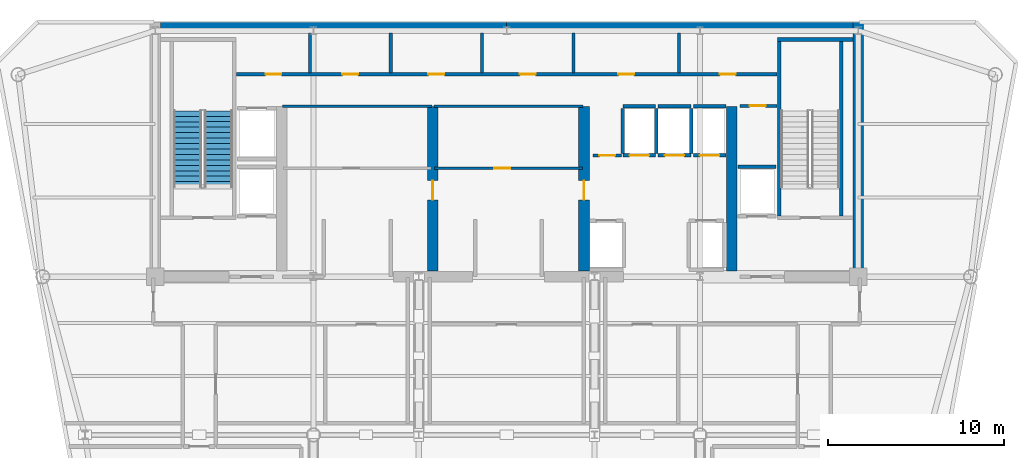
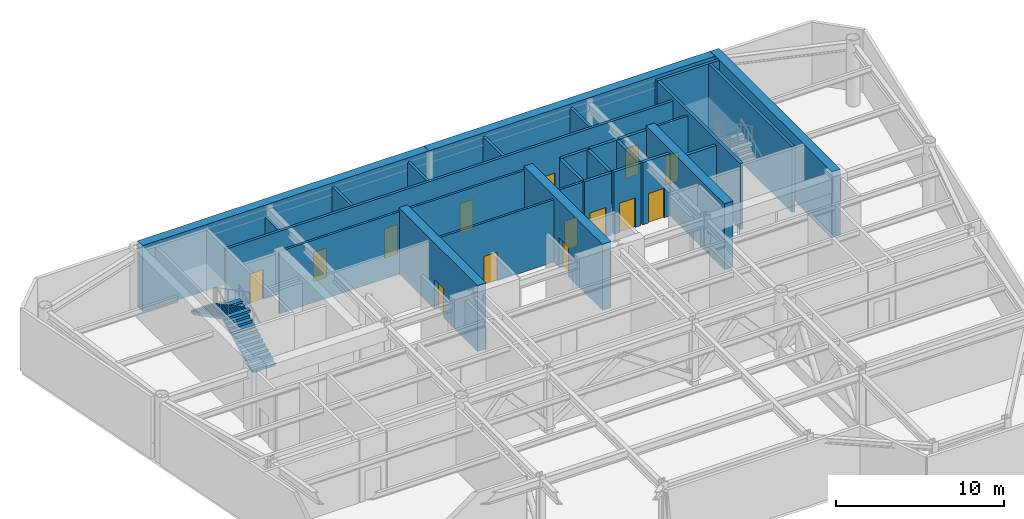
# One storey, part 5 of 9: 30 walls, 14 doors, 2 stair flights, 14 openings, 1 element without a shape of its own.
"""IFC4 building model written with IfcOpenShell, lengths in metres."""

from ifc_helpers import new_model, si_unit, direction, frame, frame_2d, origin, place, context, subcontext, project, spatial, polyline, rectangle, outline, extrude, source, transform, mapped, material, layer, layer_set, type_object, element, fill, aggregate, save


model = new_model("IFC4")

# Units and contexts
model_context = context("Model", 3, precision=1e-05, world=origin(), true_north=direction((0.0, 1.0)))
body_context = subcontext(model_context, "Body", "Model", "MODEL_VIEW")
ifc_project = project(units=[si_unit("LENGTHUNIT", "METRE"), si_unit("AREAUNIT", "SQUARE_METRE"), si_unit("VOLUMEUNIT", "CUBIC_METRE"), si_unit("PLANEANGLEUNIT", "RADIAN"), si_unit("MASSUNIT", "GRAM", prefix="KILO")], contexts=[model_context])

# Site, building, storey
site_placement = place(None, origin())
site = spatial("IfcSite", under=ifc_project, at=site_placement, CompositionType="ELEMENT")
building_placement = place(site_placement, origin())
building = spatial("IfcBuilding", under=site, at=building_placement, Name="Vaeldorn Concourse Tower", CompositionType="ELEMENT")
storey_placement = place(building_placement, frame((0.0, 0.0, 218.39990234375)))
storey = spatial("IfcBuildingStorey", under=building, at=storey_placement, Name="L56", CompositionType="ELEMENT", Elevation=218.39990234375)

# Walls
ifc_material_1 = material(Name="Concrete C50/60", Category="concrete")
ifc_layer_1 = layer(ifc_material_1, 0.60009765625)
ifc_layer_set_1 = layer_set([ifc_layer_1], Name="Concrete C50/60")
wall_type_1 = type_object("IfcWallType", Name="WL-CORE-600", PredefinedType="SHEAR", material=ifc_layer_set_1)
for number, where, z_axis, x_axis, name in (
    (1, (14.303955078125, 50.699951171875, 0.0), (0.0, 0.0, 1.0), (1.0, 0.0, 0.0), "Rear Core Shear Wall L56 N1"),
    (2, (34.001953125, 50.699951171875, 0.0), (0.0, 0.0, 1.0), (1.0, 0.0, 0.0), "Rear Core Shear Wall L56 N2"),
):
    element("IfcWall", number, at=place(storey_placement, frame(where, z_axis=z_axis, x_axis=x_axis)), inside=storey, type_object=wall_type_1, Name=name, PredefinedType="SHEAR", context=body_context, shape_type="SweptSolid", body=[
        extrude(rectangle(XDim=19.694091796875, YDim=0.60009765625, at=frame_2d((9.84716796875, 0.0))), origin(), (0.0, 0.0, 1.0), 4.800048828125),
    ])
wall_1_placement = place(storey_placement, frame((54.0, 36.5, 0.0), z_axis=(0.0, 0.0, 1.0), x_axis=(0.0, 1.0, 0.0)))
element("IfcWall", 3, at=wall_1_placement, inside=storey, type_object=wall_type_1, Name="Rear Core Shear Wall L56 E1", PredefinedType="SHEAR", context=body_context, shape_type="SweptSolid", body=[
    extrude(rectangle(XDim=14.5, YDim=0.60009765625, at=frame_2d((7.25, 0.0))), origin(), (0.0, 0.0, 1.0), 4.800048828125),
])

# Wall, opening, door
wall_2_placement = place(storey_placement, frame((29.800048828125, 36.820068359375, 0.0), z_axis=(0.0, 0.0, 1.0), x_axis=(0.0, 1.0, 0.0)))
wall_2 = element("IfcWall", 4, at=wall_2_placement, inside=storey, type_object=wall_type_1, Name="Rear Core Shear Wall L56 M2", PredefinedType="SHEAR", context=body_context, shape_type="SweptSolid", body=[
    extrude(rectangle(XDim=9.3798828125, YDim=0.60009765625, at=frame_2d((4.68994140625, 0.0))), origin(), (0.0, 0.0, 1.0), 4.800048828125),
])
opening_1_placement = place(wall_2_placement, frame((4.050048828125, 0.0, 0.0)))
opening_1 = element("IfcOpeningElement", 5, at=opening_1_placement, cuts=wall_2, Name="Opening D-01", PredefinedType="OPENING", context=body_context, shape_type="SweptSolid", body=[
    extrude(rectangle(XDim=1.10009765625, YDim=2.14990234375, at=frame_2d((0.550048828125, 1.074951171875))), frame((0.0, 0.31005859375, 0.0), z_axis=(0.0, -1.0, 0.0), x_axis=(1.0, 0.0, 0.0)), (0.0, 0.0, 1.0), 0.6201171875),
])
ifc_material_2 = material(Name="Fire-Rated Timber and Steel Leaf", Category="steel")
door_type_1 = type_object("IfcDoorType", Name="DR-FD60-1100", OperationType="NOTDEFINED", PredefinedType="DOOR", material=ifc_material_2)
shared_shape_1 = source(origin(), body_context, "Body", "SweptSolid", [
    extrude(rectangle(XDim=1.10009765625, YDim=2.14990234375, at=frame_2d((0.550048828125, 1.074951171875))), frame((0.0, 0.02490234375, 0.0), z_axis=(0.0, -1.0, 0.0), x_axis=(1.0, 0.0, 0.0)), (0.0, 0.0, 1.0), 0.050048828125),
])
door_1_placement = place(opening_1_placement, origin())
door_1 = element("IfcDoor", 6, at=door_1_placement, inside=storey, type_object=door_type_1, Name="Interior Door DR-L56-CBM2", OperationType="SINGLE_SWING_LEFT", OverallHeight=2.14990234375, OverallWidth=1.10009765625, PredefinedType="DOOR", context=body_context, shape_type="MappedRepresentation", body=[
    mapped(shared_shape_1, transform((0.0, 0.0, 0.0), scale=1.0)),
])
fill(opening_1, door_1)

wall_3_placement = place(storey_placement, frame((38.39990234375, 36.820068359375, 0.0), z_axis=(0.0, 0.0, 1.0), x_axis=(0.0, 1.0, 0.0)))
wall_3 = element("IfcWall", 7, at=wall_3_placement, inside=storey, type_object=wall_type_1, Name="Rear Core Shear Wall L56 M3", PredefinedType="SHEAR", context=body_context, shape_type="SweptSolid", body=[
    extrude(rectangle(XDim=9.3798828125, YDim=0.60009765625, at=frame_2d((4.68994140625, 0.0))), origin(), (0.0, 0.0, 1.0), 4.800048828125),
])
opening_2_placement = place(wall_3_placement, frame((4.050048828125, 0.0, 0.0)))
opening_2 = element("IfcOpeningElement", 8, at=opening_2_placement, cuts=wall_3, Name="Opening D-01", PredefinedType="OPENING", context=body_context, shape_type="SweptSolid", body=[
    extrude(rectangle(XDim=1.10009765625, YDim=2.14990234375, at=frame_2d((0.550048828125, 1.074951171875))), frame((0.0, 0.31005859375, 0.0), z_axis=(0.0, -1.0, 0.0), x_axis=(1.0, 0.0, 0.0)), (0.0, 0.0, 1.0), 0.6201171875),
])
door_2_placement = place(opening_2_placement, origin())
door_2 = element("IfcDoor", 9, at=door_2_placement, inside=storey, type_object=door_type_1, Name="Interior Door DR-L56-CBM3", OperationType="SINGLE_SWING_RIGHT", OverallHeight=2.14990234375, OverallWidth=1.10009765625, PredefinedType="DOOR", context=body_context, shape_type="MappedRepresentation", body=[
    mapped(shared_shape_1, transform((0.0, 0.0, 0.0), scale=1.0)),
])
fill(opening_2, door_2)

# Walls
wall_4_placement = place(storey_placement, frame((46.800048828125, 36.820068359375, 0.0), z_axis=(0.0, 0.0, 1.0), x_axis=(0.0, 1.0, 0.0)))
element("IfcWall", 10, at=wall_4_placement, inside=storey, type_object=wall_type_1, Name="Rear Core Shear Wall L56 M4", PredefinedType="SHEAR", context=body_context, shape_type="SweptSolid", body=[
    extrude(rectangle(XDim=9.3798828125, YDim=0.60009765625, at=frame_2d((4.68994140625, 0.0))), origin(), (0.0, 0.0, 1.0), 4.800048828125),
])
ifc_material_3 = material(Name="Gypsum Board Partition", Category="gypsum")
ifc_layer_2 = layer(ifc_material_3, 0.14990234375)
ifc_layer_set_2 = layer_set([ifc_layer_2], Name="Gypsum Board Partition")
wall_type_2 = type_object("IfcWallType", Name="WL-PART-150", PredefinedType="PARTITIONING", material=ifc_layer_set_2)
for number, where, z_axis, x_axis, name in (
    (11, (21.25, 46.199951171875, 0.0), (0.0, 0.0, 1.0), (1.0, 0.0, 0.0), "Interior Wall CW-L56-R1N"),
    (12, (29.85009765625, 46.199951171875, 0.0), (0.0, 0.0, 1.0), (1.0, 0.0, 0.0), "Interior Wall CW-L56-R2N"),
):
    element("IfcWall", number, at=place(storey_placement, frame(where, z_axis=z_axis, x_axis=x_axis)), inside=storey, type_object=wall_type_2, Name=name, PredefinedType="PARTITIONING", context=body_context, shape_type="SweptSolid", body=[
        extrude(rectangle(XDim=8.5, YDim=0.14990234375, at=frame_2d((4.25, 0.0))), origin(), (0.0, 0.0, 1.0), 4.5400390625),
    ])

# Wall, opening, door
wall_5_placement = place(storey_placement, frame((29.89990234375, 42.679931640625, 0.0), z_axis=(0.0, 0.0, 1.0), x_axis=(1.0, 0.0, 0.0)))
wall_5 = element("IfcWall", 13, at=wall_5_placement, inside=storey, type_object=wall_type_2, Name="Interior Wall CW-L56-R2M", PredefinedType="PARTITIONING", context=body_context, shape_type="SweptSolid", body=[
    extrude(rectangle(XDim=8.400146484375, YDim=0.14990234375, at=frame_2d((4.2001953125, 0.0))), origin(), (0.0, 0.0, 1.0), 4.5400390625),
])
opening_3_placement = place(wall_5_placement, frame((3.39990234375, 0.0, 0.0)))
opening_3 = element("IfcOpeningElement", 14, at=opening_3_placement, cuts=wall_5, Name="Opening D-02", PredefinedType="OPENING", context=body_context, shape_type="SweptSolid", body=[
    extrude(rectangle(XDim=0.89990234375, YDim=2.10009765625, at=frame_2d((0.449951171875, 1.050048828125))), frame((0.0, 0.0849609375, 0.0), z_axis=(0.0, -1.0, 0.0), x_axis=(1.0, 0.0, 0.0)), (0.0, 0.0, 1.0), 0.169921875),
])
ifc_material_4 = material(Name="Fire-Rated Timber Leaf", Category="wood")
door_type_2 = type_object("IfcDoorType", Name="DR-FD30-900", OperationType="NOTDEFINED", PredefinedType="DOOR", material=ifc_material_4)
shared_shape_2 = source(origin(), body_context, "Body", "SweptSolid", [
    extrude(rectangle(XDim=0.89990234375, YDim=2.10009765625, at=frame_2d((0.449951171875, 1.050048828125))), frame((0.0, 0.02490234375, 0.0), z_axis=(0.0, -1.0, 0.0), x_axis=(1.0, 0.0, 0.0)), (0.0, 0.0, 1.0), 0.050048828125),
])
door_3_placement = place(opening_3_placement, origin())
door_3 = element("IfcDoor", 15, at=door_3_placement, inside=storey, type_object=door_type_2, Name="Interior Door DR-L56-R2E", OperationType="SINGLE_SWING_RIGHT", OverallHeight=2.10009765625, OverallWidth=0.89990234375, PredefinedType="DOOR", context=body_context, shape_type="MappedRepresentation", body=[
    mapped(shared_shape_2, transform((0.0, 0.0, 0.0), scale=1.0)),
])
fill(opening_3, door_3)

wall_6_placement = place(storey_placement, frame((47.280029296875, 46.219970703125, 0.0), z_axis=(0.0, 0.0, 1.0), x_axis=(1.0, 0.0, 0.0)))
wall_6 = element("IfcWall", 16, at=wall_6_placement, inside=storey, type_object=wall_type_2, Name="Interior Wall CW-L56-CRSE-N", PredefinedType="PARTITIONING", context=body_context, shape_type="SweptSolid", body=[
    extrude(rectangle(XDim=2.099853515625, YDim=0.14990234375, at=frame_2d((1.0498046875, 0.0))), origin(), (0.0, 0.0, 1.0), 4.5400390625),
])
opening_4_placement = place(wall_6_placement, frame((0.550048828125, 0.0, 0.0)))
opening_4 = element("IfcOpeningElement", 17, at=opening_4_placement, cuts=wall_6, Name="Opening D-02", PredefinedType="OPENING", context=body_context, shape_type="SweptSolid", body=[
    extrude(rectangle(XDim=0.89990234375, YDim=2.10009765625, at=frame_2d((0.449951171875, 1.050048828125))), frame((0.0, 0.0849609375, 0.0), z_axis=(0.0, -1.0, 0.0), x_axis=(1.0, 0.0, 0.0)), (0.0, 0.0, 1.0), 0.169921875),
])
door_4_placement = place(opening_4_placement, origin())
door_4 = element("IfcDoor", 18, at=door_4_placement, inside=storey, type_object=door_type_2, Name="Interior Door DR-L56-CRSE", OperationType="SINGLE_SWING_RIGHT", OverallHeight=2.10009765625, OverallWidth=0.89990234375, PredefinedType="DOOR", context=body_context, shape_type="MappedRepresentation", body=[
    mapped(shared_shape_2, transform((0.0, 0.0, 0.0), scale=1.0)),
])
fill(opening_4, door_4)

wall_7_placement = place(storey_placement, frame((38.919921875, 43.39990234375, 0.0), z_axis=(0.0, 0.0, 1.0), x_axis=(1.0, 0.0, 0.0)))
wall_7 = element("IfcWall", 19, at=wall_7_placement, inside=storey, type_object=wall_type_2, Name="Interior Wall CW-L56-CCLINK", PredefinedType="PARTITIONING", context=body_context, shape_type="SweptSolid", body=[
    extrude(rectangle(XDim=1.60009765625, YDim=0.14990234375, at=frame_2d((0.800048828125, 0.0))), origin(), (0.0, 0.0, 1.0), 4.5400390625),
])
opening_5_placement = place(wall_7_placement, frame((0.35009765625, 0.0, 0.0)))
opening_5 = element("IfcOpeningElement", 20, at=opening_5_placement, cuts=wall_7, Name="Opening D-02", PredefinedType="OPENING", context=body_context, shape_type="SweptSolid", body=[
    extrude(rectangle(XDim=0.89990234375, YDim=2.10009765625, at=frame_2d((0.449951171875, 1.050048828125))), frame((0.0, 0.0849609375, 0.0), z_axis=(0.0, -1.0, 0.0), x_axis=(1.0, 0.0, 0.0)), (0.0, 0.0, 1.0), 0.169921875),
])
door_5_placement = place(opening_5_placement, origin())
door_5 = element("IfcDoor", 21, at=door_5_placement, inside=storey, type_object=door_type_2, Name="Interior Door DR-L56-CCLINK", OperationType="SINGLE_SWING_LEFT", OverallHeight=2.10009765625, OverallWidth=0.89990234375, PredefinedType="DOOR", context=body_context, shape_type="MappedRepresentation", body=[
    mapped(shared_shape_2, transform((0.0, 0.0, 0.0), scale=1.0)),
])
fill(opening_5, door_5)

# Wall, openings, doors
ifc_layer_3 = layer(ifc_material_3, 0.179931640625)
ifc_layer_set_3 = layer_set([ifc_layer_3], Name="Gypsum Board Partition")
wall_type_3 = type_object("IfcWallType", Name="WL-PLUMB-180", PredefinedType="PLUMBINGWALL", material=ifc_layer_set_3)
wall_8_placement = place(storey_placement, frame((18.6201171875, 48.02001953125, 0.0), z_axis=(0.0, 0.0, 1.0), x_axis=(1.0, 0.0, 0.0)))
wall_8 = element("IfcWall", 22, at=wall_8_placement, inside=storey, type_object=wall_type_3, Name="Interior Wall CW-L56-NS3", PredefinedType="PLUMBINGWALL", context=body_context, shape_type="SweptSolid", body=[
    extrude(rectangle(XDim=30.759765625, YDim=0.179931640625, at=frame_2d((15.3798828125, 0.0))), origin(), (0.0, 0.0, 1.0), 4.5400390625),
])
opening_6_placement = place(wall_8_placement, frame((1.655029296875, 0.0, 0.0)))
opening_6 = element("IfcOpeningElement", 23, at=opening_6_placement, cuts=wall_8, Name="Opening D-03", PredefinedType="OPENING", context=body_context, shape_type="SweptSolid", body=[
    extrude(rectangle(XDim=0.89990234375, YDim=2.14990234375, at=frame_2d((0.449951171875, 1.074951171875))), frame((0.0, 0.10009765625, 0.0), z_axis=(0.0, -1.0, 0.0), x_axis=(1.0, 0.0, 0.0)), (0.0, 0.0, 1.0), 0.199951171875),
])
opening_7_placement = place(wall_8_placement, frame((6.030029296875, 0.0, 0.0)))
opening_7 = element("IfcOpeningElement", 24, at=opening_7_placement, cuts=wall_8, Name="Opening D-03", PredefinedType="OPENING", context=body_context, shape_type="SweptSolid", body=[
    extrude(rectangle(XDim=0.89990234375, YDim=2.14990234375, at=frame_2d((0.449951171875, 1.074951171875))), frame((0.0, 0.10009765625, 0.0), z_axis=(0.0, -1.0, 0.0), x_axis=(1.0, 0.0, 0.0)), (0.0, 0.0, 1.0), 0.199951171875),
])
opening_8_placement = place(wall_8_placement, frame((10.929931640625, 0.0, 0.0)))
opening_8 = element("IfcOpeningElement", 25, at=opening_8_placement, cuts=wall_8, Name="Opening D-03", PredefinedType="OPENING", context=body_context, shape_type="SweptSolid", body=[
    extrude(rectangle(XDim=0.89990234375, YDim=2.14990234375, at=frame_2d((0.449951171875, 1.074951171875))), frame((0.0, 0.10009765625, 0.0), z_axis=(0.0, -1.0, 0.0), x_axis=(1.0, 0.0, 0.0)), (0.0, 0.0, 1.0), 0.199951171875),
])
opening_9_placement = place(wall_8_placement, frame((16.1298828125, 0.0, 0.0)))
opening_9 = element("IfcOpeningElement", 26, at=opening_9_placement, cuts=wall_8, Name="Opening D-03", PredefinedType="OPENING", context=body_context, shape_type="SweptSolid", body=[
    extrude(rectangle(XDim=0.89990234375, YDim=2.14990234375, at=frame_2d((0.449951171875, 1.074951171875))), frame((0.0, 0.10009765625, 0.0), z_axis=(0.0, -1.0, 0.0), x_axis=(1.0, 0.0, 0.0)), (0.0, 0.0, 1.0), 0.199951171875),
])
opening_10_placement = place(wall_8_placement, frame((21.72998046875, 0.0, 0.0)))
opening_10 = element("IfcOpeningElement", 27, at=opening_10_placement, cuts=wall_8, Name="Opening D-03", PredefinedType="OPENING", context=body_context, shape_type="SweptSolid", body=[
    extrude(rectangle(XDim=0.89990234375, YDim=2.14990234375, at=frame_2d((0.449951171875, 1.074951171875))), frame((0.0, 0.10009765625, 0.0), z_axis=(0.0, -1.0, 0.0), x_axis=(1.0, 0.0, 0.0)), (0.0, 0.0, 1.0), 0.199951171875),
])
opening_11_placement = place(wall_8_placement, frame((27.5048828125, 0.0, 0.0)))
opening_11 = element("IfcOpeningElement", 28, at=opening_11_placement, cuts=wall_8, Name="Opening D-03", PredefinedType="OPENING", context=body_context, shape_type="SweptSolid", body=[
    extrude(rectangle(XDim=0.89990234375, YDim=2.14990234375, at=frame_2d((0.449951171875, 1.074951171875))), frame((0.0, 0.10009765625, 0.0), z_axis=(0.0, -1.0, 0.0), x_axis=(1.0, 0.0, 0.0)), (0.0, 0.0, 1.0), 0.199951171875),
])
ifc_material_5 = material(Name="Acoustic Bronze-Framed Glass Door", Category="glass")
door_type_3 = type_object("IfcDoorType", Name="DR-INT-900", OperationType="NOTDEFINED", PredefinedType="DOOR", material=ifc_material_5)
shared_shape_3 = source(origin(), body_context, "Body", "SweptSolid", [
    extrude(rectangle(XDim=0.89990234375, YDim=2.14990234375, at=frame_2d((0.449951171875, 1.074951171875))), frame((0.0, 0.02490234375, 0.0), z_axis=(0.0, -1.0, 0.0), x_axis=(1.0, 0.0, 0.0)), (0.0, 0.0, 1.0), 0.050048828125),
])
door_6_placement = place(opening_6_placement, origin())
door_6 = element("IfcDoor", 29, at=door_6_placement, inside=storey, type_object=door_type_3, Name="Interior Door DR-L56-CS1", OperationType="SINGLE_SWING_LEFT", OverallHeight=2.14990234375, OverallWidth=0.89990234375, PredefinedType="DOOR", context=body_context, shape_type="MappedRepresentation", body=[
    mapped(shared_shape_3, transform((0.0, 0.0, 0.0), scale=1.0)),
])
fill(opening_6, door_6)
door_7_placement = place(opening_7_placement, origin())
door_7 = element("IfcDoor", 30, at=door_7_placement, inside=storey, type_object=door_type_3, Name="Interior Door DR-L56-CS2", OperationType="SINGLE_SWING_RIGHT", OverallHeight=2.14990234375, OverallWidth=0.89990234375, PredefinedType="DOOR", context=body_context, shape_type="MappedRepresentation", body=[
    mapped(shared_shape_3, transform((0.0, 0.0, 0.0), scale=1.0)),
])
fill(opening_7, door_7)
door_8_placement = place(opening_8_placement, origin())
door_8 = element("IfcDoor", 31, at=door_8_placement, inside=storey, type_object=door_type_3, Name="Interior Door DR-L56-CS3", OperationType="SINGLE_SWING_LEFT", OverallHeight=2.14990234375, OverallWidth=0.89990234375, PredefinedType="DOOR", context=body_context, shape_type="MappedRepresentation", body=[
    mapped(shared_shape_3, transform((0.0, 0.0, 0.0), scale=1.0)),
])
fill(opening_8, door_8)
door_9_placement = place(opening_9_placement, origin())
door_9 = element("IfcDoor", 32, at=door_9_placement, inside=storey, type_object=door_type_3, Name="Interior Door DR-L56-CS4", OperationType="SINGLE_SWING_RIGHT", OverallHeight=2.14990234375, OverallWidth=0.89990234375, PredefinedType="DOOR", context=body_context, shape_type="MappedRepresentation", body=[
    mapped(shared_shape_3, transform((0.0, 0.0, 0.0), scale=1.0)),
])
fill(opening_9, door_9)
door_10_placement = place(opening_10_placement, origin())
door_10 = element("IfcDoor", 33, at=door_10_placement, inside=storey, type_object=door_type_3, Name="Interior Door DR-L56-CS5", OperationType="SINGLE_SWING_LEFT", OverallHeight=2.14990234375, OverallWidth=0.89990234375, PredefinedType="DOOR", context=body_context, shape_type="MappedRepresentation", body=[
    mapped(shared_shape_3, transform((0.0, 0.0, 0.0), scale=1.0)),
])
fill(opening_10, door_10)
door_11_placement = place(opening_11_placement, origin())
door_11 = element("IfcDoor", 34, at=door_11_placement, inside=storey, type_object=door_type_3, Name="Interior Door DR-L56-CS6", OperationType="SINGLE_SWING_RIGHT", OverallHeight=2.14990234375, OverallWidth=0.89990234375, PredefinedType="DOOR", context=body_context, shape_type="MappedRepresentation", body=[
    mapped(shared_shape_3, transform((0.0, 0.0, 0.0), scale=1.0)),
])
fill(opening_11, door_11)

# Walls
wall_9_placement = place(storey_placement, frame((22.800048828125, 48.10009765625, 0.0), z_axis=(0.0, 0.0, 1.0), x_axis=(0.0, 1.0, 0.0)))
element("IfcWall", 35, at=wall_9_placement, inside=storey, type_object=wall_type_3, Name="Interior Wall CW-L56-NDIV1", PredefinedType="PLUMBINGWALL", context=body_context, shape_type="SweptSolid", body=[
    extrude(rectangle(XDim=2.27978515625, YDim=0.179931640625, at=frame_2d((1.139892578125, 0.0))), origin(), (0.0, 0.0, 1.0), 3.93017578125),
])
for number, where, z_axis, x_axis, name in (
    (36, (27.39990234375, 48.10009765625, 0.0), (0.0, 0.0, 1.0), (0.0, 1.0, 0.0), "Interior Wall CW-L56-NDIV2"),
    (37, (32.60009765625, 48.10009765625, 0.0), (0.0, 0.0, 1.0), (0.0, 1.0, 0.0), "Interior Wall CW-L56-NDIV3"),
    (38, (37.800048828125, 48.10009765625, 0.0), (0.0, 0.0, 1.0), (0.0, 1.0, 0.0), "Interior Wall CW-L56-NDIV4"),
    (39, (43.800048828125, 48.10009765625, 0.0), (0.0, 0.0, 1.0), (0.0, 1.0, 0.0), "Interior Wall CW-L56-NDIV5"),
):
    element("IfcWall", number, at=place(storey_placement, frame(where, z_axis=z_axis, x_axis=x_axis)), inside=storey, type_object=wall_type_3, Name=name, PredefinedType="PLUMBINGWALL", context=body_context, shape_type="SweptSolid", body=[
        extrude(rectangle(XDim=2.27978515625, YDim=0.179931640625, at=frame_2d((1.139892578125, 0.0))), origin(), (0.0, 0.0, 1.0), 4.5400390625),
    ])
ifc_layer_4 = layer(ifc_material_1, 0.199951171875)
ifc_layer_set_4 = layer_set([ifc_layer_4], Name="Concrete C50/60")
wall_type_4 = type_object("IfcWallType", Name="WL-SHAFT-200", PredefinedType="SOLIDWALL", material=ifc_layer_set_4)
wall_10_placement = place(storey_placement, frame((49.39990234375, 50.0, 0.0), z_axis=(0.0, 0.0, 1.0), x_axis=(1.0, 0.0, 0.0)))
element("IfcWall", 40, at=wall_10_placement, inside=storey, type_object=wall_type_4, Name="Stair Shaft Wall CW-L56-ST-2-N", PredefinedType="SOLIDWALL", context=body_context, shape_type="SweptSolid", body=[
    extrude(rectangle(XDim=4.300048828125, YDim=0.199951171875, at=frame_2d((2.14990234375, 0.0))), origin(), (0.0, 0.0, 1.0), 4.800048828125),
])
for number, where, z_axis, x_axis, name in (
    (41, (49.5, 39.9599609375, 0.0), (0.0, 0.0, 1.0), (0.0, 1.0, 0.0), "Stair Shaft Wall CW-L56-ST-2-W"),
    (42, (53.050048828125, 39.9599609375, 0.0), (0.0, 0.0, 1.0), (0.0, 1.0, 0.0), "Stair Shaft Wall CW-L56-ST-2-E"),
):
    element("IfcWall", number, at=place(storey_placement, frame(where, z_axis=z_axis, x_axis=x_axis)), inside=storey, type_object=wall_type_4, Name=name, PredefinedType="SOLIDWALL", context=body_context, shape_type="SweptSolid", body=[
        extrude(rectangle(XDim=9.929931640625, YDim=0.199951171875, at=frame_2d((4.96484375, 0.0))), origin(), (0.0, 0.0, 1.0), 4.800048828125),
    ])

# Wall, opening, door
wall_11_placement = place(storey_placement, frame((40.6201171875, 43.39990234375, 0.0), z_axis=(0.0, 0.0, 1.0), x_axis=(1.0, 0.0, 0.0)))
wall_11 = element("IfcWall", 43, at=wall_11_placement, inside=storey, type_object=wall_type_4, Name="Interior Wall CW-L56-LF-LF-15", PredefinedType="SOLIDWALL", context=body_context, shape_type="SweptSolid", body=[
    extrude(rectangle(XDim=1.85986328125, YDim=0.199951171875, at=frame_2d((0.929931640625, 0.0))), origin(), (0.0, 0.0, 1.0), 4.5400390625),
])
opening_12_placement = place(wall_11_placement, frame((0.3798828125, 0.0, 0.0)))
opening_12 = element("IfcOpeningElement", 44, at=opening_12_placement, cuts=wall_11, Name="Opening LD-1", PredefinedType="OPENING", context=body_context, shape_type="SweptSolid", body=[
    extrude(rectangle(XDim=1.10009765625, YDim=2.14990234375, at=frame_2d((0.550048828125, 1.074951171875))), frame((0.0, 0.10986328125, 0.0), z_axis=(0.0, -1.0, 0.0), x_axis=(1.0, 0.0, 0.0)), (0.0, 0.0, 1.0), 0.219970703125),
])
ifc_material_6 = material(Name="Anodised Bronze Aluminium", Category="aluminium")
door_type_4 = type_object("IfcDoorType", Name="DR-LIFT-SLIDE-1100", OperationType="DOUBLE_DOOR_SLIDING", PredefinedType="DOOR", material=ifc_material_6)
door_12_placement = place(opening_12_placement, origin())
door_12 = element("IfcDoor", 45, at=door_12_placement, inside=storey, type_object=door_type_4, Name="Lift Landing Door LD-L56-LF-15", OperationType="DOUBLE_DOOR_SLIDING", OverallHeight=2.14990234375, OverallWidth=1.10009765625, PredefinedType="DOOR", context=body_context, shape_type="MappedRepresentation", body=[
    mapped(shared_shape_1, transform((0.0, 0.0, 0.0), scale=1.0)),
])
fill(opening_12, door_12)

# Walls
wall_12_placement = place(storey_placement, frame((40.6201171875, 46.199951171875, 0.0), z_axis=(0.0, 0.0, 1.0), x_axis=(1.0, 0.0, 0.0)))
element("IfcWall", 46, at=wall_12_placement, inside=storey, type_object=wall_type_4, Name="Interior Wall CW-L56-LFB-LF-15", PredefinedType="SOLIDWALL", context=body_context, shape_type="SweptSolid", body=[
    extrude(rectangle(XDim=1.85986328125, YDim=0.199951171875, at=frame_2d((0.929931640625, 0.0))), origin(), (0.0, 0.0, 1.0), 4.5400390625),
])
for number, where, z_axis, x_axis, name in (
    (47, (40.60009765625, 43.52001953125, 0.0), (0.0, 0.0, 1.0), (0.0, 1.0, 0.0), "Interior Wall CW-L56-LFW-LF-15"),
    (48, (42.5, 43.52001953125, 0.0), (0.0, 0.0, 1.0), (0.0, 1.0, 0.0), "Interior Wall CW-L56-LFE-LF-15"),
):
    element("IfcWall", number, at=place(storey_placement, frame(where, z_axis=z_axis, x_axis=x_axis)), inside=storey, type_object=wall_type_4, Name=name, PredefinedType="SOLIDWALL", context=body_context, shape_type="SweptSolid", body=[
        extrude(rectangle(XDim=2.56005859375, YDim=0.199951171875, at=frame_2d((1.280029296875, 0.0))), origin(), (0.0, 0.0, 1.0), 4.5400390625),
    ])

# Wall, opening, door
wall_13_placement = place(storey_placement, frame((42.6201171875, 43.39990234375, 0.0), z_axis=(0.0, 0.0, 1.0), x_axis=(1.0, 0.0, 0.0)))
wall_13 = element("IfcWall", 49, at=wall_13_placement, inside=storey, type_object=wall_type_4, Name="Interior Wall CW-L56-LF-LF-16", PredefinedType="SOLIDWALL", context=body_context, shape_type="SweptSolid", body=[
    extrude(rectangle(XDim=1.85986328125, YDim=0.199951171875, at=frame_2d((0.929931640625, 0.0))), origin(), (0.0, 0.0, 1.0), 4.5400390625),
])
opening_13_placement = place(wall_13_placement, frame((0.3798828125, 0.0, 0.0)))
opening_13 = element("IfcOpeningElement", 50, at=opening_13_placement, cuts=wall_13, Name="Opening LD-1", PredefinedType="OPENING", context=body_context, shape_type="SweptSolid", body=[
    extrude(rectangle(XDim=1.10009765625, YDim=2.14990234375, at=frame_2d((0.550048828125, 1.074951171875))), frame((0.0, 0.10986328125, 0.0), z_axis=(0.0, -1.0, 0.0), x_axis=(1.0, 0.0, 0.0)), (0.0, 0.0, 1.0), 0.219970703125),
])
door_13_placement = place(opening_13_placement, origin())
door_13 = element("IfcDoor", 51, at=door_13_placement, inside=storey, type_object=door_type_4, Name="Lift Landing Door LD-L56-LF-16", OperationType="DOUBLE_DOOR_SLIDING", OverallHeight=2.14990234375, OverallWidth=1.10009765625, PredefinedType="DOOR", context=body_context, shape_type="MappedRepresentation", body=[
    mapped(shared_shape_1, transform((0.0, 0.0, 0.0), scale=1.0)),
])
fill(opening_13, door_13)

# Walls
wall_14_placement = place(storey_placement, frame((42.6201171875, 46.199951171875, 0.0), z_axis=(0.0, 0.0, 1.0), x_axis=(1.0, 0.0, 0.0)))
element("IfcWall", 52, at=wall_14_placement, inside=storey, type_object=wall_type_4, Name="Interior Wall CW-L56-LFB-LF-16", PredefinedType="SOLIDWALL", context=body_context, shape_type="SweptSolid", body=[
    extrude(rectangle(XDim=1.85986328125, YDim=0.199951171875, at=frame_2d((0.929931640625, 0.0))), origin(), (0.0, 0.0, 1.0), 4.5400390625),
])
wall_15_placement = place(storey_placement, frame((44.5, 43.52001953125, 0.0), z_axis=(0.0, 0.0, 1.0), x_axis=(0.0, 1.0, 0.0)))
element("IfcWall", 53, at=wall_15_placement, inside=storey, type_object=wall_type_4, Name="Interior Wall CW-L56-LFE-LF-16", PredefinedType="SOLIDWALL", context=body_context, shape_type="SweptSolid", body=[
    extrude(rectangle(XDim=2.56005859375, YDim=0.199951171875, at=frame_2d((1.280029296875, 0.0))), origin(), (0.0, 0.0, 1.0), 4.5400390625),
])

# Wall, opening, door
wall_16_placement = place(storey_placement, frame((44.6201171875, 43.39990234375, 0.0), z_axis=(0.0, 0.0, 1.0), x_axis=(1.0, 0.0, 0.0)))
wall_16 = element("IfcWall", 54, at=wall_16_placement, inside=storey, type_object=wall_type_4, Name="Interior Wall CW-L56-LF-LF-17", PredefinedType="SOLIDWALL", context=body_context, shape_type="SweptSolid", body=[
    extrude(rectangle(XDim=1.85986328125, YDim=0.199951171875, at=frame_2d((0.929931640625, 0.0))), origin(), (0.0, 0.0, 1.0), 4.5400390625),
])
opening_14_placement = place(wall_16_placement, frame((0.3798828125, 0.0, 0.0)))
opening_14 = element("IfcOpeningElement", 55, at=opening_14_placement, cuts=wall_16, Name="Opening LD-1", PredefinedType="OPENING", context=body_context, shape_type="SweptSolid", body=[
    extrude(rectangle(XDim=1.10009765625, YDim=2.14990234375, at=frame_2d((0.550048828125, 1.074951171875))), frame((0.0, 0.10986328125, 0.0), z_axis=(0.0, -1.0, 0.0), x_axis=(1.0, 0.0, 0.0)), (0.0, 0.0, 1.0), 0.219970703125),
])
door_14_placement = place(opening_14_placement, origin())
door_14 = element("IfcDoor", 56, at=door_14_placement, inside=storey, type_object=door_type_4, Name="Lift Landing Door LD-L56-LF-17", OperationType="DOUBLE_DOOR_SLIDING", OverallHeight=2.14990234375, OverallWidth=1.10009765625, PredefinedType="DOOR", context=body_context, shape_type="MappedRepresentation", body=[
    mapped(shared_shape_1, transform((0.0, 0.0, 0.0), scale=1.0)),
])
fill(opening_14, door_14)

# Walls
wall_17_placement = place(storey_placement, frame((44.6201171875, 46.199951171875, 0.0), z_axis=(0.0, 0.0, 1.0), x_axis=(1.0, 0.0, 0.0)))
element("IfcWall", 57, at=wall_17_placement, inside=storey, type_object=wall_type_4, Name="Interior Wall CW-L56-LFB-LF-17", PredefinedType="SOLIDWALL", context=body_context, shape_type="SweptSolid", body=[
    extrude(rectangle(XDim=1.85986328125, YDim=0.199951171875, at=frame_2d((0.929931640625, 0.0))), origin(), (0.0, 0.0, 1.0), 4.5400390625),
])
wall_18_placement = place(storey_placement, frame((47.169921875, 42.75, 0.0), z_axis=(0.0, 0.0, 1.0), x_axis=(1.0, 0.0, 0.0)))
element("IfcWall", 58, at=wall_18_placement, inside=storey, type_object=wall_type_4, Name="Interior Wall CW-L56-LFB-LF-FF2", PredefinedType="SOLIDWALL", context=body_context, shape_type="SweptSolid", body=[
    extrude(rectangle(XDim=2.16015625, YDim=0.199951171875, at=frame_2d((1.080078125, 0.0))), origin(), (0.0, 0.0, 1.0), 4.5400390625),
])

# Stair, stair flights
ifc_material_7 = material(Name="Precast concrete C40/50", Category="concrete")
stair_type = type_object("IfcStairType", Name="STR-DOG-30x160", PredefinedType="HALF_TURN_STAIR", material=ifc_material_7)
stair_placement = place(storey_placement, origin())
stair = element("IfcStair", 59, at=stair_placement, inside=storey, type_object=stair_type, Name="L56 West Core Exit Stair ST-1", PredefinedType="HALF_TURN_STAIR")
stair_flight_type = type_object("IfcStairFlightType", Name="STF-STR-15x160", PredefinedType="STRAIGHT", material=ifc_material_7)
stair_flight_1_placement = place(storey_placement, frame((17.60009765625, 41.60009765625, 0.0), z_axis=(0.0, 0.0, 1.0), x_axis=(0.0, 1.0, 0.0)))
stair_flight_1 = element("IfcStairFlight", 60, at=stair_flight_1_placement, type_object=stair_flight_type, Name="ST-1 flight 1", NumberOfRisers=15, NumberOfTreads=14, PredefinedType="STRAIGHT", RiserHeight=0.16, TreadLength=0.31, context=body_context, shape_type="SweptSolid", body=[
    extrude(outline(polyline([(0.0, 0.0), (0.0, 0.159912109375), (0.31005859375, 0.159912109375), (0.31005859375, 0.320068359375), (0.6201171875, 0.320068359375), (0.6201171875, 0.47998046875), (0.929931640625, 0.47998046875), (0.929931640625, 0.639892578125), (1.239990234375, 0.639892578125), (1.239990234375, 0.800048828125), (1.550048828125, 0.800048828125), (1.550048828125, 0.9599609375), (1.860107421875, 0.9599609375), (1.860107421875, 1.1201171875), (2.169921875, 1.1201171875), (2.169921875, 1.280029296875), (2.47998046875, 1.280029296875), (2.47998046875, 1.43994140625), (2.7900390625, 1.43994140625), (2.7900390625, 1.60009765625), (3.10009765625, 1.60009765625), (3.10009765625, 1.760009765625), (3.409912109375, 1.760009765625), (3.409912109375, 1.919921875), (3.719970703125, 1.919921875), (3.719970703125, 2.080078125), (4.030029296875, 2.080078125), (4.030029296875, 2.239990234375), (4.340087890625, 2.239990234375), (4.340087890625, 2.39990234375), (4.340087890625, 2.0712890625), (0.326904296875, 0.0), (0.0, 0.0)])), frame((0.0, 0.800048828125, 0.0), z_axis=(0.0, -1.0, 0.0), x_axis=(1.0, 0.0, 0.0)), (0.0, 0.0, 1.0), 1.60009765625),
])
stair_flight_2_placement = place(storey_placement, frame((15.85009765625, 45.93994140625, 2.400146484375), z_axis=(0.0, 0.0, 1.0), x_axis=(0.0, -1.0, 0.0)))
stair_flight_2 = element("IfcStairFlight", 61, at=stair_flight_2_placement, type_object=stair_flight_type, Name="ST-1 flight 2", NumberOfRisers=15, NumberOfTreads=14, PredefinedType="STRAIGHT", RiserHeight=0.16, TreadLength=0.31, context=body_context, shape_type="SweptSolid", body=[
    extrude(outline(polyline([(0.0, 0.0), (0.0, 0.159912109375), (0.31005859375, 0.159912109375), (0.31005859375, 0.320068359375), (0.6201171875, 0.320068359375), (0.6201171875, 0.47998046875), (0.929931640625, 0.47998046875), (0.929931640625, 0.639892578125), (1.239990234375, 0.639892578125), (1.239990234375, 0.800048828125), (1.550048828125, 0.800048828125), (1.550048828125, 0.9599609375), (1.860107421875, 0.9599609375), (1.860107421875, 1.1201171875), (2.169921875, 1.1201171875), (2.169921875, 1.280029296875), (2.47998046875, 1.280029296875), (2.47998046875, 1.43994140625), (2.7900390625, 1.43994140625), (2.7900390625, 1.60009765625), (3.10009765625, 1.60009765625), (3.10009765625, 1.760009765625), (3.409912109375, 1.760009765625), (3.409912109375, 1.919921875), (3.719970703125, 1.919921875), (3.719970703125, 2.080078125), (4.030029296875, 2.080078125), (4.030029296875, 2.239990234375), (4.340087890625, 2.239990234375), (4.340087890625, 2.39990234375), (4.340087890625, 2.0712890625), (0.326904296875, 0.0), (0.0, 0.0)])), frame((0.0, 0.800048828125, 0.0), z_axis=(0.0, -1.0, 0.0), x_axis=(1.0, 0.0, 0.0)), (0.0, 0.0, 1.0), 1.60009765625),
])
aggregate(stair, [stair_flight_1, stair_flight_2])

save(model, "model.ifc")
